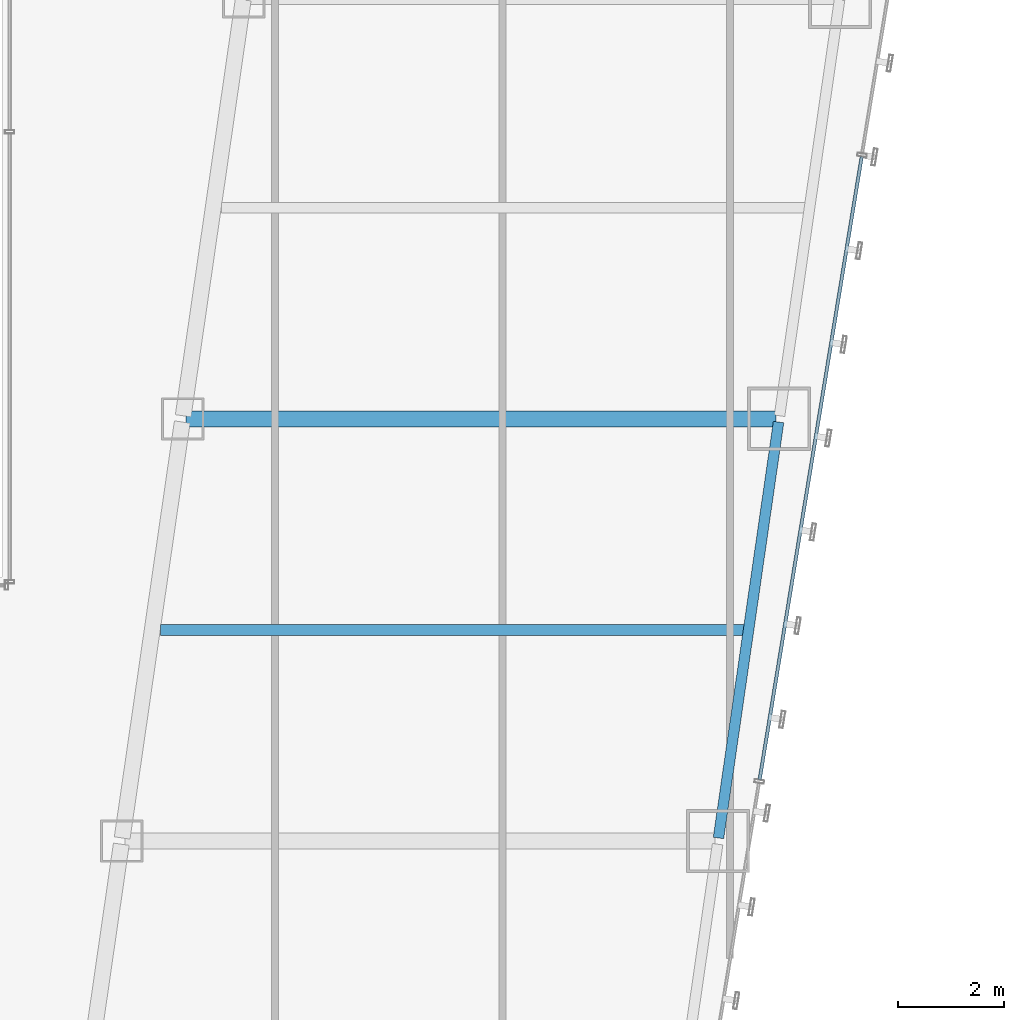
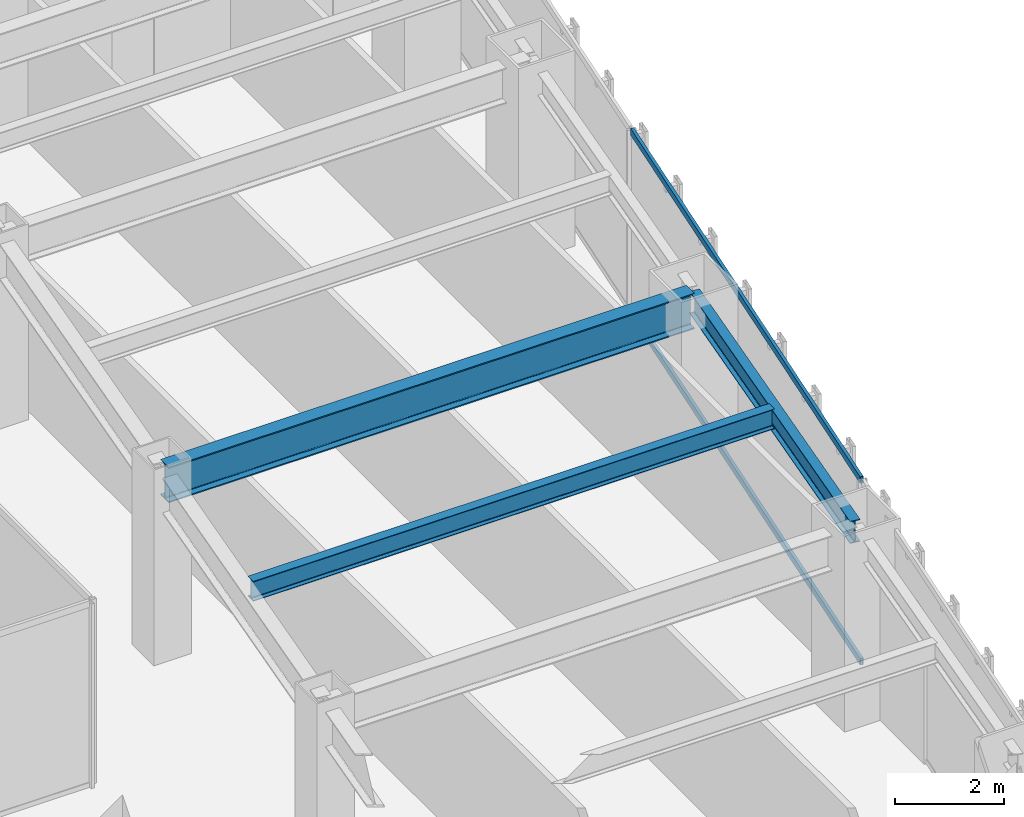
# One storey, part 19 of 47: 3 beams, 2 members, 1 element without a shape of its own.
"""IFC4 building model written with IfcOpenShell, lengths in metres."""

from ifc_helpers import new_model, si_unit, direction, frame, origin, origin_2d, place, context, subcontext, project, spatial, hollow_rectangle, i_section, extrude, material, material_profile, profile_set, type_object, element, aggregate, save


model = new_model("IFC4")

# Units and contexts
model_context = context("Model", 3, precision=1e-05, world=origin(), true_north=direction((0.0, 1.0)))
body_context = subcontext(model_context, "Body", "Model", "MODEL_VIEW")
ifc_project = project(units=[si_unit("LENGTHUNIT", "METRE"), si_unit("AREAUNIT", "SQUARE_METRE"), si_unit("VOLUMEUNIT", "CUBIC_METRE"), si_unit("PLANEANGLEUNIT", "RADIAN"), si_unit("MASSUNIT", "GRAM", prefix="KILO")], contexts=[model_context])

# Site, building, storey
site_placement = place(None, origin())
site = spatial("IfcSite", under=ifc_project, at=site_placement, CompositionType="ELEMENT")
building_placement = place(site_placement, origin())
building = spatial("IfcBuilding", under=site, at=building_placement, Name="Saevonmaru Cultural Tower", CompositionType="ELEMENT")
storey_placement = place(building_placement, frame((0.0, 0.0, 64.800048828125)))
storey = spatial("IfcBuildingStorey", under=building, at=storey_placement, Name="L13", CompositionType="ELEMENT", Elevation=64.800048828125)

# Beams
ifc_material_1 = material(Name="Steel SM420", Category="steel")
ifc_material_profile_1 = material_profile(ifc_material_1, i_section(OverallWidth=0.300048828125, OverallDepth=0.800048828125, WebThickness=0.013916015625, FlangeThickness=0.02587890625, FilletRadius=0.028076171875, at=origin_2d()), Name="H-800x300x14x26")
ifc_profile_set_1 = profile_set([ifc_material_profile_1], Name="Steel SM420")
beam_type_1 = type_object("IfcBeamType", Name="BM-G-H800", PredefinedType="BEAM", material=ifc_profile_set_1)
beam_1_placement = place(storey_placement, frame((39.2880859375, 24.0, 3.75), z_axis=(1.0, 0.0, 0.0), x_axis=(0.0, 1.0, 0.0)))
element("IfcBeam", 1, at=beam_1_placement, inside=storey, type_object=beam_type_1, Name="L13 East Wing Transverse Girder 4", PredefinedType="BEAM", context=body_context, shape_type="SweptSolid", body=[
    extrude(i_section(OverallWidth=0.300048828125, OverallDepth=0.800048828125, WebThickness=0.013916015625, FlangeThickness=0.02587890625, FilletRadius=0.028076171875, at=origin_2d()), origin(), (0.0, 0.0, 1.0), 11.179931640625),
])
ifc_material_2 = material(Name="Steel SM355", Category="steel")
ifc_material_profile_2 = material_profile(ifc_material_2, i_section(OverallWidth=0.199951171875, OverallDepth=0.449951171875, WebThickness=0.009033203125, FlangeThickness=0.013916015625, FilletRadius=0.01806640625, at=origin_2d()), Name="H-450x200x9x14")
ifc_profile_set_2 = profile_set([ifc_material_profile_2], Name="Steel SM355")
beam_type_2 = type_object("IfcBeamType", Name="BM-J-H450", PredefinedType="JOIST", material=ifc_profile_set_2)
beam_2_placement = place(storey_placement, frame((38.80810546875, 20.0, 3.925048828125), z_axis=(1.0, 0.0, 0.0), x_axis=(0.0, 1.0, 0.0)))
element("IfcBeam", 2, at=beam_2_placement, inside=storey, type_object=beam_type_2, Name="L13 East Wing Floor Joist 3", PredefinedType="JOIST", context=body_context, shape_type="SweptSolid", body=[
    extrude(i_section(OverallWidth=0.199951171875, OverallDepth=0.449951171875, WebThickness=0.009033203125, FlangeThickness=0.013916015625, FilletRadius=0.01806640625, at=origin_2d()), origin(), (0.0, 0.0, 1.0), 11.081787109375),
])
ifc_material_profile_3 = material_profile(ifc_material_2, i_section(OverallWidth=0.199951171875, OverallDepth=0.5, WebThickness=0.010009765625, FlangeThickness=0.01611328125, FilletRadius=0.02001953125, at=origin_2d()), Name="H-500x200x10x16")
ifc_profile_set_3 = profile_set([ifc_material_profile_3], Name="Steel SM355")
beam_type_3 = type_object("IfcBeamType", Name="BM-SP-H500", PredefinedType="SPANDREL", material=ifc_profile_set_3)
beam_3_placement = place(storey_placement, frame((49.380615234375, 16.059326171875, 3.89990234375), z_axis=(0.142992129437, 0.989723825579, 0.0), x_axis=(-0.989723825579, 0.142992129437, 0.0)))
element("IfcBeam", 3, at=beam_3_placement, inside=storey, type_object=beam_type_3, Name="L13 East Splayed Spandrel 3", PredefinedType="SPANDREL", context=body_context, shape_type="SweptSolid", body=[
    extrude(i_section(OverallWidth=0.199951171875, OverallDepth=0.5, WebThickness=0.010009765625, FlangeThickness=0.01611328125, FilletRadius=0.02001953125, at=origin_2d()), origin(), (0.0, 0.0, 1.0), 7.963134765625),
])

# Curtain wall, members
ifc_material_3 = material(Name="Satin Bronze Anodised Aluminium", Category="aluminium")
curtain_wall_type = type_object("IfcCurtainWallType", Name="CW-TYP-A", PredefinedType="NOTDEFINED", material=ifc_material_3)
curtain_wall_placement = place(storey_placement, origin())
curtain_wall = element("IfcCurtainWall", 4, at=curtain_wall_placement, inside=storey, type_object=curtain_wall_type, Name="L13 Unitised Curtain Wall E8", PredefinedType="NOTDEFINED")
ifc_material_profile_4 = material_profile(ifc_material_3, hollow_rectangle(XDim=0.06494140625, YDim=0.14990234375, WallThickness=0.00390625, at=origin_2d()), Name="ALU-TRAN-150x65x4")
ifc_profile_set_4 = profile_set([ifc_material_profile_4], Name="Satin Bronze Anodised Aluminium")
member_type = type_object("IfcMemberType", Name="TR-CW-150x65", PredefinedType="USERDEFINED", material=ifc_profile_set_4)
member_1_placement = place(storey_placement, frame((50.16015625, 17.16162109375, 0.032470703125), z_axis=(0.161701400727, 0.986839732177, 0.0), x_axis=(-0.986839732177, 0.161701400727, 0.0)))
member_1 = element("IfcMember", 5, at=member_1_placement, type_object=member_type, Name="CW-TW-L13-E8 transom 2.1", ObjectType="TRANSOM", PredefinedType="USERDEFINED", context=body_context, shape_type="SweptSolid", body=[
    extrude(hollow_rectangle(XDim=0.06494140625, YDim=0.14990234375, WallThickness=0.00390625, at=origin_2d()), origin(), (0.0, 0.0, 1.0), 11.9638671875),
])
member_2_placement = place(storey_placement, frame((50.16015625, 17.16162109375, 4.117431640625), z_axis=(0.161701400727, 0.986839732177, 0.0), x_axis=(-0.986839732177, 0.161701400727, 0.0)))
member_2 = element("IfcMember", 6, at=member_2_placement, type_object=member_type, Name="CW-TW-L13-E8 transom 2.2", ObjectType="TRANSOM", PredefinedType="USERDEFINED", context=body_context, shape_type="SweptSolid", body=[
    extrude(hollow_rectangle(XDim=0.06494140625, YDim=0.14990234375, WallThickness=0.00390625, at=origin_2d()), origin(), (0.0, 0.0, 1.0), 11.9638671875),
])
aggregate(curtain_wall, [member_1, member_2])

save(model, "model.ifc")
